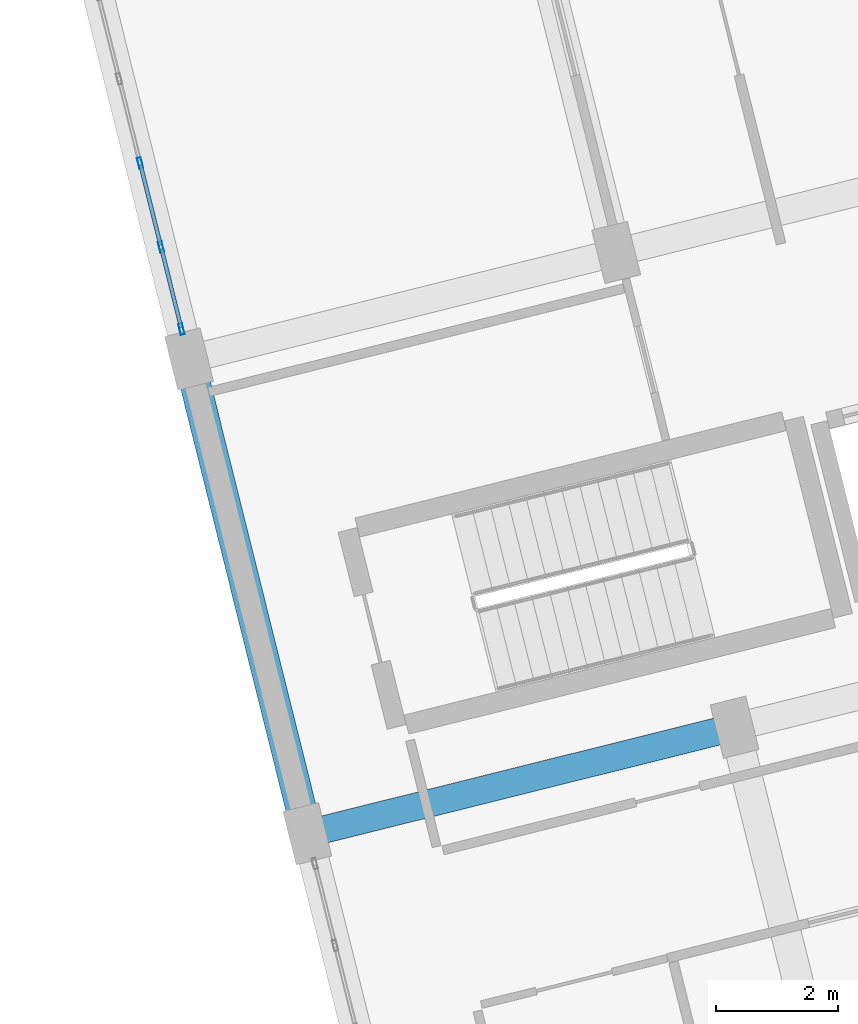
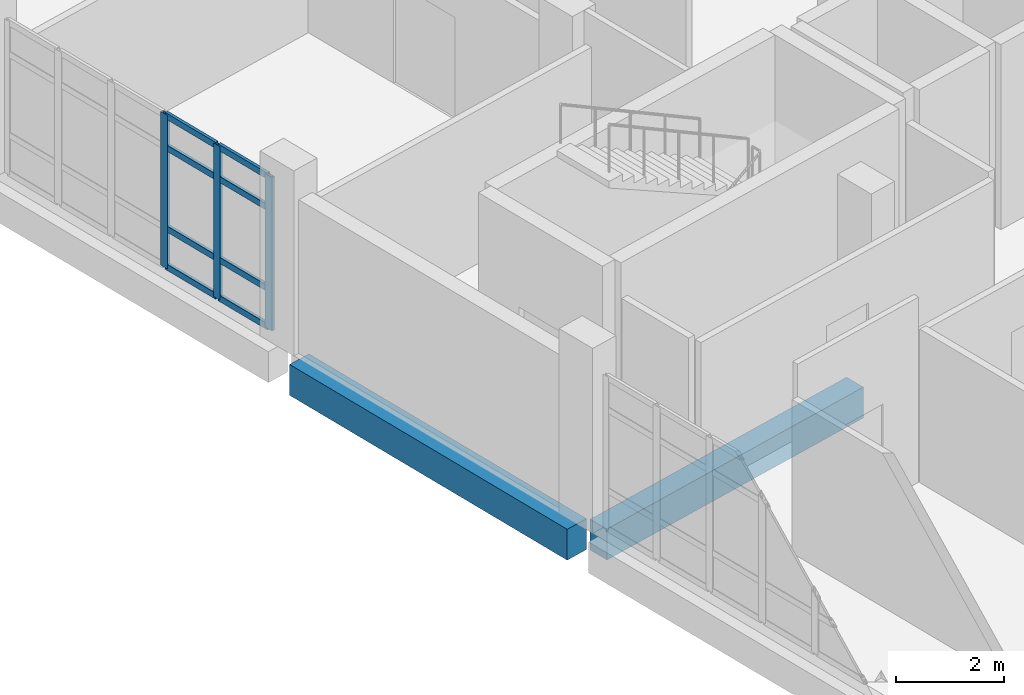
# One storey, part 54 of 164: 11 members, 2 beams, 1 element without a shape of its own.
"""IFC4 building model written with IfcOpenShell, lengths in metres."""

from ifc_helpers import new_model, si_unit, direction, frame, origin, origin_2d, place, context, subcontext, project, spatial, rectangle, hollow_rectangle, extrude, material, layer, layer_set, material_profile, profile_set, type_object, element, aggregate, save


model = new_model("IFC4")

# Units and contexts
model_context = context("Model", 3, precision=1e-05, world=origin(), true_north=direction((0.0, 1.0)))
body_context = subcontext(model_context, "Body", "Model", "MODEL_VIEW")
ifc_project = project(units=[si_unit("LENGTHUNIT", "METRE"), si_unit("AREAUNIT", "SQUARE_METRE"), si_unit("VOLUMEUNIT", "CUBIC_METRE"), si_unit("PLANEANGLEUNIT", "RADIAN"), si_unit("MASSUNIT", "GRAM", prefix="KILO")], contexts=[model_context])

# Site, building, storey
site_placement = place(None, origin())
site = spatial("IfcSite", under=ifc_project, at=site_placement, CompositionType="ELEMENT")
building_placement = place(site_placement, origin())
building = spatial("IfcBuilding", under=site, at=building_placement, Name="Mawjan Specialist Oncology Clinic", CompositionType="ELEMENT")
storey_placement = place(building_placement, frame((0.0, 0.0, 5.0)))
storey = spatial("IfcBuildingStorey", under=building, at=storey_placement, Name="L01", CompositionType="ELEMENT", Elevation=5.0)

# Beam
ifc_material_1 = material(Name="Concrete C40/50", Category="concrete")
ifc_material_profile_1 = material_profile(ifc_material_1, rectangle(XDim=0.449951171875, YDim=0.699951171875, at=origin_2d()), Name="RC BM 450x700", Category="concrete")
ifc_profile_set_1 = profile_set([ifc_material_profile_1], Name="Concrete C40/50")
beam_type_1 = type_object("IfcBeamType", Name="BM-450x700", PredefinedType="BEAM", material=ifc_profile_set_1)
beam_1_placement = place(storey_placement, frame((122.40576171875, 16.393798828125, -0.64990234375), z_axis=(0.970302579357, 0.241894407734, 0.0), x_axis=(-0.241894407734, 0.970302579357, 0.0)))
element("IfcBeam", 1, at=beam_1_placement, inside=storey, type_object=beam_type_1, Name="L01 Collector Beam BM-L01-0595", PredefinedType="BEAM", context=body_context, shape_type="SweptSolid", body=[
    extrude(rectangle(XDim=0.449951171875, YDim=0.699951171875, at=origin_2d()), origin(), (0.0, 0.0, 1.0), 6.6298828125),
])

# Curtain wall, members
ifc_material_2 = material(Name="Unitised spectrally selective aluminium curtain wall", Category="aluminium")
ifc_layer = layer(ifc_material_2, 0.179931640625, Name="Unitised spectrally selective aluminium curtain wall", Category="aluminium")
ifc_layer_set = layer_set([ifc_layer], Name="Unitised spectrally selective aluminium curtain wall")
curtain_wall_type = type_object("IfcCurtainWallType", Name="CW-47", PredefinedType="NOTDEFINED", material=ifc_layer_set)
curtain_wall_placement = place(storey_placement, origin())
curtain_wall = element("IfcCurtainWall", 2, at=curtain_wall_placement, inside=storey, type_object=curtain_wall_type, Name="L01 Unitised Curtain Wall CW-L01-091", PredefinedType="NOTDEFINED")
ifc_material_3 = material(Name="Thermally broken aluminium 6063-T6", Category="aluminium")
ifc_material_profile_2 = material_profile(ifc_material_3, hollow_rectangle(XDim=0.06494140625, YDim=0.179931640625, WallThickness=0.00390625, at=origin_2d()), Name="ALU MULLION 180x65x4", Category="aluminium")
ifc_profile_set_2 = profile_set([ifc_material_profile_2], Name="Thermally broken aluminium 6063-T6")
member_type_1 = type_object("IfcMemberType", Name="CW-M180", PredefinedType="MULLION", material=ifc_profile_set_2)
member_1_placement = place(storey_placement, frame((120.072265625, 24.57470703125, 0.0), z_axis=(0.0, 0.0, 1.0), x_axis=(-0.970295687333, -0.24192205179, 0.0)))
member_1 = element("IfcMember", 3, at=member_1_placement, type_object=member_type_1, Name="CW-47 mullion 1", PredefinedType="MULLION", context=body_context, shape_type="SweptSolid", body=[
    extrude(hollow_rectangle(XDim=0.06494140625, YDim=0.179931640625, WallThickness=0.00390625, at=origin_2d()), origin(), (0.0, 0.0, 1.0), 3.485107421875),
])
member_2_placement = place(storey_placement, frame((119.7373046875, 25.91796875, 0.0), z_axis=(0.0, 0.0, 1.0), x_axis=(-0.970295687333, -0.24192205179, 0.0)))
member_2 = element("IfcMember", 4, at=member_2_placement, type_object=member_type_1, Name="CW-47 mullion 2", PredefinedType="MULLION", context=body_context, shape_type="SweptSolid", body=[
    extrude(hollow_rectangle(XDim=0.06494140625, YDim=0.179931640625, WallThickness=0.00390625, at=origin_2d()), origin(), (0.0, 0.0, 1.0), 3.485107421875),
])
member_3_placement = place(storey_placement, frame((119.39453125, 27.29296875, 0.0), z_axis=(0.0, 0.0, 1.0), x_axis=(-0.970295687333, -0.24192205179, 0.0)))
member_3 = element("IfcMember", 5, at=member_3_placement, type_object=member_type_1, Name="CW-47 mullion 3", PredefinedType="MULLION", context=body_context, shape_type="SweptSolid", body=[
    extrude(hollow_rectangle(XDim=0.06494140625, YDim=0.179931640625, WallThickness=0.00390625, at=origin_2d()), origin(), (0.0, 0.0, 1.0), 3.485107421875),
])
ifc_material_4 = material(Name="Thermally broken aluminium 6063-T6", Category="aluminium")
ifc_material_profile_3 = material_profile(ifc_material_4, hollow_rectangle(XDim=0.06494140625, YDim=0.139892578125, WallThickness=0.00390625, at=origin_2d()), Name="ALU TRANSOM 140x65x4", Category="aluminium")
ifc_profile_set_3 = profile_set([ifc_material_profile_3], Name="Thermally broken aluminium 6063-T6")
member_type_2 = type_object("IfcMemberType", Name="CW-T140", PredefinedType="USERDEFINED", material=ifc_profile_set_3)
member_4_placement = place(storey_placement, frame((120.064453125, 24.606201171875, 0.032470703125), z_axis=(-0.242013165337, 0.970272965615, 0.0), x_axis=(-0.970272965615, -0.242013165337, 0.0)))
member_4 = element("IfcMember", 6, at=member_4_placement, type_object=member_type_2, Name="CW-47 transom 1.1", ObjectType="TRANSOM", PredefinedType="USERDEFINED", context=body_context, shape_type="SweptSolid", body=[
    extrude(hollow_rectangle(XDim=0.06494140625, YDim=0.139892578125, WallThickness=0.00390625, at=origin_2d()), origin(), (0.0, 0.0, 1.0), 1.319580078125),
])
member_5_placement = place(storey_placement, frame((120.064453125, 24.606201171875, 0.89990234375), z_axis=(-0.242013165337, 0.970272965615, 0.0), x_axis=(-0.970272965615, -0.242013165337, 0.0)))
member_5 = element("IfcMember", 7, at=member_5_placement, type_object=member_type_2, Name="CW-47 transom 1.2", ObjectType="TRANSOM", PredefinedType="USERDEFINED", context=body_context, shape_type="SweptSolid", body=[
    extrude(hollow_rectangle(XDim=0.06494140625, YDim=0.139892578125, WallThickness=0.00390625, at=origin_2d()), origin(), (0.0, 0.0, 1.0), 1.319580078125),
])
member_6_placement = place(storey_placement, frame((120.064453125, 24.606201171875, 2.735107421875), z_axis=(-0.242013165337, 0.970272965615, 0.0), x_axis=(-0.970272965615, -0.242013165337, 0.0)))
member_6 = element("IfcMember", 8, at=member_6_placement, type_object=member_type_2, Name="CW-47 transom 1.3", ObjectType="TRANSOM", PredefinedType="USERDEFINED", context=body_context, shape_type="SweptSolid", body=[
    extrude(hollow_rectangle(XDim=0.06494140625, YDim=0.139892578125, WallThickness=0.00390625, at=origin_2d()), origin(), (0.0, 0.0, 1.0), 1.319580078125),
])
member_7_placement = place(storey_placement, frame((120.064453125, 24.606201171875, 3.452392578125), z_axis=(-0.242013165337, 0.970272965615, 0.0), x_axis=(-0.970272965615, -0.242013165337, 0.0)))
member_7 = element("IfcMember", 9, at=member_7_placement, type_object=member_type_2, Name="CW-47 transom 1.4", ObjectType="TRANSOM", PredefinedType="USERDEFINED", context=body_context, shape_type="SweptSolid", body=[
    extrude(hollow_rectangle(XDim=0.06494140625, YDim=0.139892578125, WallThickness=0.00390625, at=origin_2d()), origin(), (0.0, 0.0, 1.0), 1.319580078125),
])
member_8_placement = place(storey_placement, frame((119.7294921875, 25.949462890625, 0.032470703125), z_axis=(-0.241940817133, 0.970291008412, 0.0), x_axis=(-0.970291008412, -0.241940817133, 0.0)))
member_8 = element("IfcMember", 10, at=member_8_placement, type_object=member_type_2, Name="CW-47 transom 2.1", ObjectType="TRANSOM", PredefinedType="USERDEFINED", context=body_context, shape_type="SweptSolid", body=[
    extrude(hollow_rectangle(XDim=0.06494140625, YDim=0.139892578125, WallThickness=0.00390625, at=origin_2d()), origin(), (0.0, 0.0, 1.0), 1.352294921875),
])
member_9_placement = place(storey_placement, frame((119.7294921875, 25.949462890625, 0.89990234375), z_axis=(-0.241940817133, 0.970291008412, 0.0), x_axis=(-0.970291008412, -0.241940817133, 0.0)))
member_9 = element("IfcMember", 11, at=member_9_placement, type_object=member_type_2, Name="CW-47 transom 2.2", ObjectType="TRANSOM", PredefinedType="USERDEFINED", context=body_context, shape_type="SweptSolid", body=[
    extrude(hollow_rectangle(XDim=0.06494140625, YDim=0.139892578125, WallThickness=0.00390625, at=origin_2d()), origin(), (0.0, 0.0, 1.0), 1.352294921875),
])
member_10_placement = place(storey_placement, frame((119.7294921875, 25.949462890625, 2.735107421875), z_axis=(-0.241940817133, 0.970291008412, 0.0), x_axis=(-0.970291008412, -0.241940817133, 0.0)))
member_10 = element("IfcMember", 12, at=member_10_placement, type_object=member_type_2, Name="CW-47 transom 2.3", ObjectType="TRANSOM", PredefinedType="USERDEFINED", context=body_context, shape_type="SweptSolid", body=[
    extrude(hollow_rectangle(XDim=0.06494140625, YDim=0.139892578125, WallThickness=0.00390625, at=origin_2d()), origin(), (0.0, 0.0, 1.0), 1.352294921875),
])
member_11_placement = place(storey_placement, frame((119.7294921875, 25.949462890625, 3.452392578125), z_axis=(-0.241940817133, 0.970291008412, 0.0), x_axis=(-0.970291008412, -0.241940817133, 0.0)))
member_11 = element("IfcMember", 13, at=member_11_placement, type_object=member_type_2, Name="CW-47 transom 2.4", ObjectType="TRANSOM", PredefinedType="USERDEFINED", context=body_context, shape_type="SweptSolid", body=[
    extrude(hollow_rectangle(XDim=0.06494140625, YDim=0.139892578125, WallThickness=0.00390625, at=origin_2d()), origin(), (0.0, 0.0, 1.0), 1.352294921875),
])
aggregate(curtain_wall, [member_1, member_2, member_3, member_4, member_5, member_6, member_7, member_8, member_9, member_10, member_11])

# Beam
ifc_material_5 = material(Name="Concrete C45/55", Category="concrete")
ifc_material_profile_4 = material_profile(ifc_material_5, rectangle(XDim=0.5, YDim=0.699951171875, at=origin_2d()), Name="RC BM 500x700", Category="concrete")
ifc_profile_set_4 = profile_set([ifc_material_profile_4], Name="Concrete C45/55")
beam_type_2 = type_object("IfcBeamType", Name="SP-500x700", PredefinedType="SPANDREL", material=ifc_profile_set_4)
beam_2_placement = place(storey_placement, frame((122.060302734375, 16.601318359375, -0.64990234375), z_axis=(-0.241909317102, 0.970298862361, 0.0), x_axis=(-0.970298862361, -0.241909317102, 0.0)))
element("IfcBeam", 14, at=beam_2_placement, inside=storey, type_object=beam_type_2, Name="L01 Spandrel Beam BM-L01-0614", PredefinedType="SPANDREL", context=body_context, shape_type="SweptSolid", body=[
    extrude(rectangle(XDim=0.5, YDim=0.699951171875, at=origin_2d()), origin(), (0.0, 0.0, 1.0), 7.429931640625),
])

save(model, "model.ifc")
